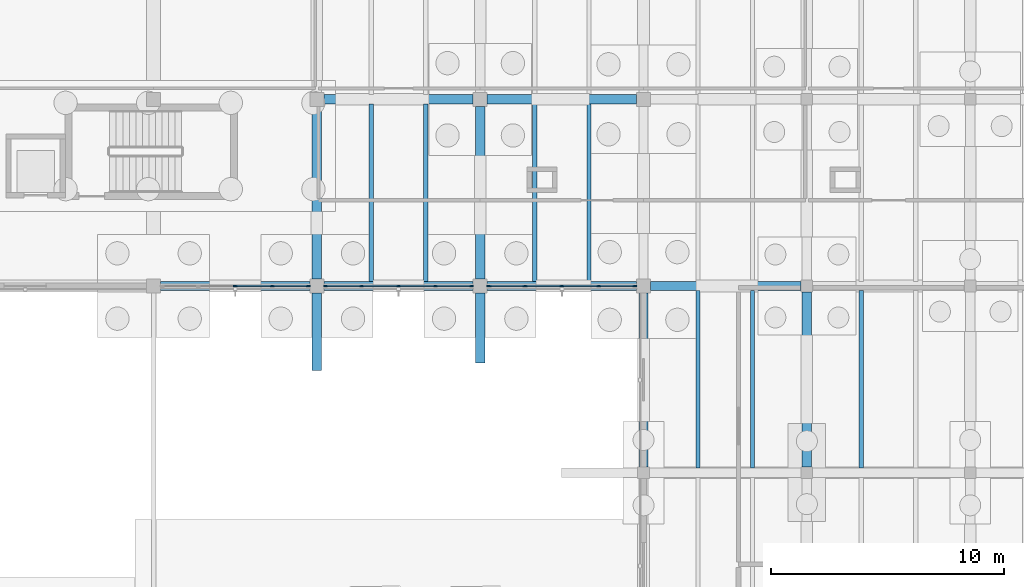
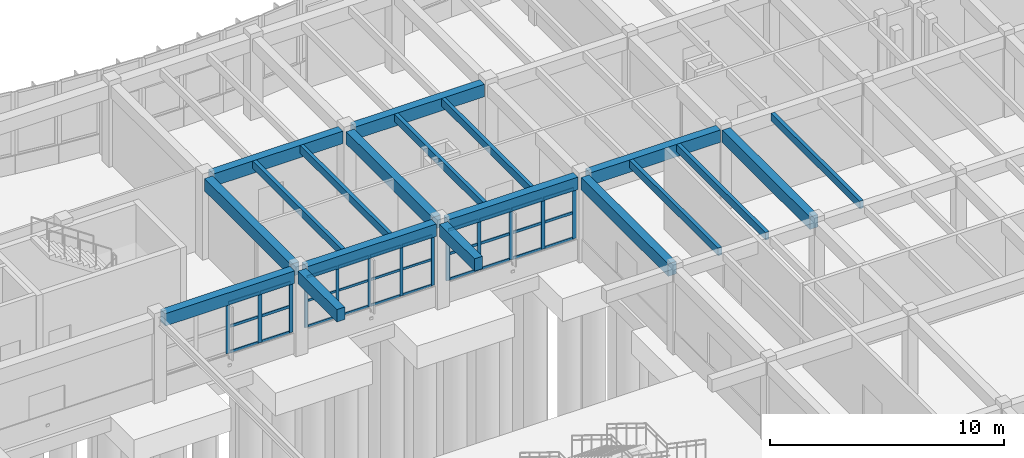
# One storey, part 44 of 99: 43 members, 19 beams, 3 elements without a shape of their own.
"""IFC4 building model written with IfcOpenShell, lengths in metres."""

import ifcopenshell
import ifcopenshell.guid

model = None  # the IFC model being written
_history = None  # IfcOwnerHistory: only IFC2X3 demands one
_inside = {}  # id of a spatial element -> (the spatial element, [elements in it])
_under = {}  # id of a project, library or spatial element -> (it, [spatial elements below it])
_declared = {}  # id of a project -> (the project, [libraries it declares])
_typed = {}  # id of a type object -> (the type object, [elements of that type])
_made_of = {}  # id of a material, layer set ... -> (it, [elements and type objects made of it])


def new_model(schema):
    """Start an empty IFC model of exactly this schema.

    Asked for "IFC4X3", IfcOpenShell would pick the latest addendum, in which some entities
    have other attributes; the version numbers below select the first issue.
    IFC2X3 requires an IfcOwnerHistory on every rooted entity: one is made here for all.
    """
    global model, _history
    if schema == "IFC4X3":
        model = ifcopenshell.file(schema_version=(4, 3, 0, 0))
    else:
        model = ifcopenshell.file(schema=schema)
    _inside.clear()
    _under.clear()
    _declared.clear()
    _typed.clear()
    _made_of.clear()
    _history = None
    if model.schema == "IFC2X3":
        org = make("IfcOrganization", Name="unknown")
        user = make(
            "IfcPersonAndOrganization",
            ThePerson=make("IfcPerson", FamilyName="unknown"),
            TheOrganization=org,
        )
        app = make(
            "IfcApplication",
            ApplicationDeveloper=org,
            Version="unknown",
            ApplicationFullName="unknown",
            ApplicationIdentifier="unknown",
        )
        _history = make(
            "IfcOwnerHistory",
            OwningUser=user,
            OwningApplication=app,
            ChangeAction="ADDED",
            CreationDate=0,
        )
    return model


def make(cls, **values):
    """One entity of the class cls with the attributes given. An attribute that is None is left unset."""
    return model.create_entity(
        cls, **{name: value for name, value in values.items() if value is not None}
    )


def rooted(cls, **values):
    """An entity with a GlobalId (a new one), such as an element, a storey or a relation."""
    return make(cls, GlobalId=ifcopenshell.guid.new(), OwnerHistory=_history, **values)


def si_unit(unit_type, name, prefix=None):
    """IfcSIUnit, for example si_unit("LENGTHUNIT", "METRE", prefix="MILLI")."""
    return make("IfcSIUnit", UnitType=unit_type, Prefix=prefix, Name=name)


def assignment(units):
    """IfcUnitAssignment: the units of a project."""
    return None if units is None else make("IfcUnitAssignment", Units=units)


def point(xyz):
    """IfcCartesianPoint."""
    return None if xyz is None else make("IfcCartesianPoint", Coordinates=xyz)


def direction(xyz):
    """IfcDirection."""
    return None if xyz is None else make("IfcDirection", DirectionRatios=xyz)


def frame(location, z_axis=None, x_axis=None):
    """IfcAxis2Placement3D, a coordinate frame: its origin and axes. An axis left out is left unset."""
    return make(
        "IfcAxis2Placement3D",
        Location=point(location),
        Axis=direction(z_axis),
        RefDirection=direction(x_axis),
    )


def frame_2d(location, x_axis=None):
    """IfcAxis2Placement2D, a coordinate frame in the plane: its origin and x axis."""
    return make(
        "IfcAxis2Placement2D", Location=point(location), RefDirection=direction(x_axis)
    )


def origin():
    """The frame at (0, 0, 0) with its axes left unset."""
    return frame((0.0, 0.0, 0.0))


def origin_2d():
    """The frame at (0, 0) in the plane with its x axis left unset."""
    return frame_2d((0.0, 0.0))


def place(relative_to, where):
    """IfcLocalPlacement: puts the frame where relative to a parent placement (None: the world)."""
    return make(
        "IfcLocalPlacement", PlacementRelTo=relative_to, RelativePlacement=where
    )


def context(
    kind, dimensions, precision=None, world=None, true_north=None, identifier=None
):
    """IfcGeometricRepresentationContext, for example the 3D "Model" context."""
    return make(
        "IfcGeometricRepresentationContext",
        ContextIdentifier=identifier,
        ContextType=kind,
        CoordinateSpaceDimension=dimensions,
        Precision=precision,
        WorldCoordinateSystem=world,
        TrueNorth=true_north,
    )


def subcontext(parent, identifier, kind, view, scale=None):
    """IfcGeometricRepresentationSubContext, for example "Body" below "Model"."""
    return make(
        "IfcGeometricRepresentationSubContext",
        ContextIdentifier=identifier,
        ContextType=kind,
        ParentContext=parent,
        TargetScale=scale,
        TargetView=view,
    )


def project(units=None, contexts=None):
    """IfcProject with its units and contexts."""
    return rooted(
        "IfcProject",
        Name="project",
        RepresentationContexts=contexts,
        UnitsInContext=assignment(units),
    )


def spatial(cls, under=None, at=None, **own):
    """A site, building, storey or space (cls), placed at a placement, below another one or the project."""
    s = rooted(cls, ObjectPlacement=at, **own)
    if under is not None:
        _under.setdefault(under.id(), (under, []))[1].append(s)
    return s


def profile(cls, at=None, kind="AREA", **sizes):
    """A parametric profile (cls). Its sizes go by their IFC names, for example OverallWidth=200.0."""
    return make(cls, ProfileType=kind, Position=at, **sizes)


def rectangle(**sizes):
    """IfcRectangleProfileDef."""
    return profile("IfcRectangleProfileDef", **sizes)


def extrude(swept, where, along, depth):
    """IfcExtrudedAreaSolid: the profile swept, set in the frame where, extruded along a direction by depth."""
    return make(
        "IfcExtrudedAreaSolid",
        SweptArea=swept,
        Position=where,
        ExtrudedDirection=direction(along),
        Depth=depth,
    )


def shape(context_of_items, identifier, shape_type, items):
    """IfcShapeRepresentation: the items that make up one representation, for example the "Body"."""
    return make(
        "IfcShapeRepresentation",
        ContextOfItems=context_of_items,
        RepresentationIdentifier=identifier,
        RepresentationType=shape_type,
        Items=items,
    )


def material(Name=None, Category=None):
    """IfcMaterial."""
    return make("IfcMaterial", Name=Name, Category=Category)


def layer(
    of_material, thickness, ventilated=None, Name=None, Category=None, Priority=None
):
    """IfcMaterialLayer: one layer of a wall or slab, of a material (None: an air gap)."""
    return make(
        "IfcMaterialLayer",
        Material=of_material,
        LayerThickness=thickness,
        IsVentilated=ventilated,
        Name=Name,
        Category=Category,
        Priority=Priority,
    )


def layer_set(layers, Name=None):
    """IfcMaterialLayerSet."""
    return make("IfcMaterialLayerSet", MaterialLayers=layers, LayerSetName=Name)


def material_profile(
    of_material, cross_section, Name=None, Category=None, Priority=None
):
    """IfcMaterialProfile: a cross section and its material."""
    return make(
        "IfcMaterialProfile",
        Name=Name,
        Material=of_material,
        Profile=cross_section,
        Priority=Priority,
        Category=Category,
    )


def profile_set(profiles, Name=None, composite=None):
    """IfcMaterialProfileSet."""
    return make(
        "IfcMaterialProfileSet",
        Name=Name,
        MaterialProfiles=profiles,
        CompositeProfile=composite,
    )


def made_of(thing, what):
    """Note that an element or type object is made of a material, layer set ...; save() writes the relation."""
    if what is not None:
        _made_of.setdefault(what.id(), (what, []))[1].append(thing)
    return thing


def type_object(cls, material=None, **own):
    """A type object (cls), such as IfcWallType, which elements share."""
    return made_of(rooted(cls, **own), material)


def element(
    cls,
    number,
    at=None,
    inside=None,
    cuts=None,
    type_object=None,
    material=None,
    context=None,
    identifier="Body",
    shape_type=None,
    held_by="IfcProductDefinitionShape",
    body=None,
    shapes=None,
    **own,
):
    """One element of the class cls, such as IfcWall. Its Tag is "e" and its number.

    at: its placement. inside: the storey or other place that contains it. cuts: it is an
    opening in that element (IfcRelVoidsElement). A single representation is given by context,
    identifier, shape_type and body (its items); several are given by shapes. held_by: the class
    of the entity that holds the representations. save() writes the other relations.
    """
    e = rooted(cls, Tag="e%d" % number, ObjectPlacement=at, **own)
    if body is not None:
        shapes = [shape(context, identifier, shape_type, body)]
    if shapes is not None:
        e.Representation = make(held_by, Representations=shapes)
    if inside is not None:
        _inside.setdefault(inside.id(), (inside, []))[1].append(e)
    if cuts is not None:
        rooted(
            "IfcRelVoidsElement", RelatingBuildingElement=cuts, RelatedOpeningElement=e
        )
    if type_object is not None:
        _typed.setdefault(type_object.id(), (type_object, []))[1].append(e)
    return made_of(e, material)


def aggregate(whole, parts):
    """IfcRelAggregates: a whole, such as a stair, and the parts it consists of."""
    return rooted("IfcRelAggregates", RelatingObject=whole, RelatedObjects=parts)


def save(model, path):
    """Write the relations noted so far, then the file.

    IfcRelAggregates (storeys below a building ...), IfcRelContainedInSpatialStructure (elements
    in a storey), IfcRelDefinesByType, IfcRelAssociatesMaterial and IfcRelDeclares: one each for
    every whole, place, type object, material and project.
    """
    for whole, parts in _under.values():
        aggregate(whole, parts)
    for where, things in _inside.values():
        rooted(
            "IfcRelContainedInSpatialStructure",
            RelatedElements=things,
            RelatingStructure=where,
        )
    for kind, things in _typed.values():
        rooted("IfcRelDefinesByType", RelatedObjects=things, RelatingType=kind)
    for what, things in _made_of.values():
        rooted("IfcRelAssociatesMaterial", RelatedObjects=things, RelatingMaterial=what)
    for by, libraries in _declared.values():
        rooted("IfcRelDeclares", RelatingContext=by, RelatedDefinitions=libraries)
    model.write(path)


model = new_model("IFC4")

# Units and contexts
model_context = context("Model", 3, precision=1e-05, world=origin(), true_north=direction((0.0, 1.0)))
body_context = subcontext(model_context, "Body", "Model", "MODEL_VIEW")
ifc_project = project(units=[si_unit("LENGTHUNIT", "METRE"), si_unit("AREAUNIT", "SQUARE_METRE"), si_unit("VOLUMEUNIT", "CUBIC_METRE"), si_unit("PLANEANGLEUNIT", "RADIAN"), si_unit("MASSUNIT", "GRAM", prefix="KILO")], contexts=[model_context])

# Site, building, storey
site_placement = place(None, origin())
site = spatial("IfcSite", under=ifc_project, at=site_placement, CompositionType="ELEMENT")
building_placement = place(site_placement, origin())
building = spatial("IfcBuilding", under=site, at=building_placement, Name="Tonlespit Floodbar School", CompositionType="ELEMENT")
storey_placement = place(building_placement, origin())
storey = spatial("IfcBuildingStorey", under=building, at=storey_placement, Name="L00", CompositionType="ELEMENT", Elevation=0.0)

# Beams
ifc_material_1 = material(Name="Concrete C40/50", Category="concrete")
ifc_material_profile_1 = material_profile(ifc_material_1, rectangle(XDim=0.39990234375, YDim=0.64990234375, at=origin_2d()), Name="RC 400x650")
ifc_profile_set_1 = profile_set([ifc_material_profile_1], Name="Concrete C40/50")
beam_type_1 = type_object("IfcBeamType", Name="Beam_RC_400x650", PredefinedType="BEAM", material=ifc_profile_set_1)
for number, where, z_axis, x_axis, name in (
    (1, (127.300048828125, 104.0, 3.9150390625), (1.0, 0.0, 0.0), (0.0, 1.0, 0.0), "L00 girder 0133"),
    (2, (134.300048828125, 104.0, 3.9150390625), (1.0, 0.0, 0.0), (0.0, 1.0, 0.0), "L00 girder 0134"),
    (3, (141.300048828125, 104.0, 3.9150390625), (1.0, 0.0, 0.0), (0.0, 1.0, 0.0), "L00 girder 0135"),
):
    element("IfcBeam", number, at=place(storey_placement, frame(where, z_axis=z_axis, x_axis=x_axis)), inside=storey, type_object=beam_type_1, Name=name, PredefinedType="BEAM", context=body_context, shape_type="SweptSolid", body=[
        extrude(rectangle(XDim=0.39990234375, YDim=0.64990234375, at=origin_2d()), origin(), (0.0, 0.0, 1.0), 6.39990234375),
    ])
beam_1_placement = place(storey_placement, frame((148.300048828125, 104.0, 3.9150390625), z_axis=(1.0, 0.0, 0.0), x_axis=(0.0, 1.0, 0.0)))
element("IfcBeam", 4, at=beam_1_placement, inside=storey, type_object=beam_type_1, Name="L00 girder 0136", PredefinedType="BEAM", context=body_context, shape_type="SweptSolid", body=[
    extrude(rectangle(XDim=0.39990234375, YDim=0.64990234375, at=origin_2d()), origin(), (0.0, 0.0, 1.0), 6.449951171875),
])
for number, where, z_axis, x_axis, name in (
    (5, (134.300048828125, 112.0, 3.9150390625), (1.0, 0.0, 0.0), (0.0, 1.0, 0.0), "L00 girder 0144"),
    (6, (141.300048828125, 112.0, 3.9150390625), (1.0, 0.0, 0.0), (0.0, 1.0, 0.0), "L00 girder 0145"),
):
    element("IfcBeam", number, at=place(storey_placement, frame(where, z_axis=z_axis, x_axis=x_axis)), inside=storey, type_object=beam_type_1, Name=name, PredefinedType="BEAM", context=body_context, shape_type="SweptSolid", body=[
        extrude(rectangle(XDim=0.39990234375, YDim=0.64990234375, at=origin_2d()), origin(), (0.0, 0.0, 1.0), 6.39990234375),
    ])
for number, where, z_axis, x_axis, name in (
    (7, (134.0, 104.300048828125, 3.9150390625), (0.0, 1.0, 0.0), (-1.0, 0.0, 0.0), "L00 girder 0275"),
    (8, (141.0, 104.300048828125, 3.9150390625), (0.0, 1.0, 0.0), (-1.0, 0.0, 0.0), "L00 girder 0280"),
):
    element("IfcBeam", number, at=place(storey_placement, frame(where, z_axis=z_axis, x_axis=x_axis)), inside=storey, type_object=beam_type_1, Name=name, PredefinedType="BEAM", context=body_context, shape_type="SweptSolid", body=[
        extrude(rectangle(XDim=0.39990234375, YDim=0.64990234375, at=origin_2d()), origin(), (0.0, 0.0, 1.0), 7.39990234375),
    ])
beam_2_placement = place(storey_placement, frame((148.0, 96.25, 3.9150390625), z_axis=(0.0, 1.0, 0.0), x_axis=(-1.0, 0.0, 0.0)))
element("IfcBeam", 9, at=beam_2_placement, inside=storey, type_object=beam_type_1, Name="L00 girder 0287", PredefinedType="BEAM", context=body_context, shape_type="SweptSolid", body=[
    extrude(rectangle(XDim=0.39990234375, YDim=0.64990234375, at=origin_2d()), origin(), (0.0, 0.0, 1.0), 7.449951171875),
])
beam_3_placement = place(storey_placement, frame((155.0, 96.25, 3.9150390625), z_axis=(0.0, 1.0, 0.0), x_axis=(-1.0, 0.0, 0.0)))
element("IfcBeam", 10, at=beam_3_placement, inside=storey, type_object=beam_type_1, Name="L00 girder 0295", PredefinedType="BEAM", context=body_context, shape_type="SweptSolid", body=[
    extrude(rectangle(XDim=0.39990234375, YDim=0.64990234375, at=origin_2d()), origin(), (0.0, 0.0, 1.0), 7.5),
])
beam_4_placement = place(storey_placement, frame((134.0, 103.699951171875, 3.930908203125), z_axis=(0.0, -1.0, 0.0), x_axis=(1.0, 0.0, 0.0)))
element("IfcBeam", 11, at=beam_4_placement, inside=storey, type_object=beam_type_1, Name="L00 V4 south court gallery rib", PredefinedType="BEAM", context=body_context, shape_type="SweptSolid", body=[
    extrude(rectangle(XDim=0.39990234375, YDim=0.64990234375, at=origin_2d()), origin(), (0.0, 0.0, 1.0), 3.328125),
])
beam_5_placement = place(storey_placement, frame((141.0, 103.699951171875, 3.930908203125), z_axis=(0.0, -1.0, 0.0), x_axis=(1.0, 0.0, 0.0)))
element("IfcBeam", 12, at=beam_5_placement, inside=storey, type_object=beam_type_1, Name="L00 V4 south court gallery rib", PredefinedType="BEAM", context=body_context, shape_type="SweptSolid", body=[
    extrude(rectangle(XDim=0.39990234375, YDim=0.64990234375, at=origin_2d()), origin(), (0.0, 0.0, 1.0), 2.990478515625),
])

# Curtain wall, members
ifc_material_2 = material(Name="Anodised Aluminium", Category="aluminium")
ifc_layer = layer(ifc_material_2, 0.159912109375)
ifc_layer_set = layer_set([ifc_layer], Name="Anodised Aluminium")
curtain_wall_type = type_object("IfcCurtainWallType", Name="CurtainWall_6300x2650", PredefinedType="NOTDEFINED", material=ifc_layer_set)
curtain_wall_1_placement = place(storey_placement, origin())
curtain_wall_1 = element("IfcCurtainWall", 13, at=curtain_wall_1_placement, inside=storey, type_object=curtain_wall_type, Name="L00 unitised curtain wall 0372", PredefinedType="NOTDEFINED")
ifc_material_profile_2 = material_profile(ifc_material_2, rectangle(XDim=0.06494140625, YDim=0.14990234375, at=origin_2d()), Name="ALU M65x150")
ifc_profile_set_2 = profile_set([ifc_material_profile_2], Name="Anodised Aluminium")
member_type_1 = type_object("IfcMemberType", Name="CW_Mullion_65x150", PredefinedType="MULLION", material=ifc_profile_set_2)
member_1_placement = place(storey_placement, frame((140.62744140625, 104.0, 0.949951171875), z_axis=(0.0, 0.0, 1.0), x_axis=(0.0, -1.0, 0.0)))
member_1 = element("IfcMember", 14, at=member_1_placement, type_object=member_type_1, Name="CW-59 mullion 1", PredefinedType="MULLION", context=body_context, shape_type="SweptSolid", body=[
    extrude(rectangle(XDim=0.06494140625, YDim=0.14990234375, at=origin_2d()), origin(), (0.0, 0.0, 1.0), 2.64013671875),
])
member_2_placement = place(storey_placement, frame((139.080078125, 104.0, 0.949951171875), z_axis=(0.0, 0.0, 1.0), x_axis=(0.0, -1.0, 0.0)))
member_2 = element("IfcMember", 15, at=member_2_placement, type_object=member_type_1, Name="CW-59 mullion 2", PredefinedType="MULLION", context=body_context, shape_type="SweptSolid", body=[
    extrude(rectangle(XDim=0.06494140625, YDim=0.14990234375, at=origin_2d()), origin(), (0.0, 0.0, 1.0), 2.64013671875),
])
member_3_placement = place(storey_placement, frame((137.5, 104.0, 0.949951171875), z_axis=(0.0, 0.0, 1.0), x_axis=(0.0, -1.0, 0.0)))
member_3 = element("IfcMember", 16, at=member_3_placement, type_object=member_type_1, Name="CW-59 mullion 3", PredefinedType="MULLION", context=body_context, shape_type="SweptSolid", body=[
    extrude(rectangle(XDim=0.06494140625, YDim=0.14990234375, at=origin_2d()), origin(), (0.0, 0.0, 1.0), 2.64013671875),
])
member_4_placement = place(storey_placement, frame((135.919921875, 104.0, 0.949951171875), z_axis=(0.0, 0.0, 1.0), x_axis=(0.0, -1.0, 0.0)))
member_4 = element("IfcMember", 17, at=member_4_placement, type_object=member_type_1, Name="CW-59 mullion 4", PredefinedType="MULLION", context=body_context, shape_type="SweptSolid", body=[
    extrude(rectangle(XDim=0.06494140625, YDim=0.14990234375, at=origin_2d()), origin(), (0.0, 0.0, 1.0), 2.64013671875),
])
member_5_placement = place(storey_placement, frame((134.37255859375, 104.0, 0.949951171875), z_axis=(0.0, 0.0, 1.0), x_axis=(0.0, -1.0, 0.0)))
member_5 = element("IfcMember", 18, at=member_5_placement, type_object=member_type_1, Name="CW-59 mullion 5", PredefinedType="MULLION", context=body_context, shape_type="SweptSolid", body=[
    extrude(rectangle(XDim=0.06494140625, YDim=0.14990234375, at=origin_2d()), origin(), (0.0, 0.0, 1.0), 2.64013671875),
])

curtain_wall_2_placement = place(storey_placement, origin())
curtain_wall_2 = element("IfcCurtainWall", 19, at=curtain_wall_2_placement, inside=storey, type_object=curtain_wall_type, Name="L00 unitised curtain wall 0371", PredefinedType="NOTDEFINED")
ifc_material_profile_3 = material_profile(ifc_material_2, rectangle(XDim=0.06494140625, YDim=0.179931640625, at=origin_2d()), Name="ALU M65x180")
ifc_profile_set_3 = profile_set([ifc_material_profile_3], Name="Anodised Aluminium")
member_type_2 = type_object("IfcMemberType", Name="CW_Mullion_65x180", PredefinedType="MULLION", material=ifc_profile_set_3)
member_6_placement = place(storey_placement, frame((147.62744140625, 104.0, 0.949951171875), z_axis=(0.0, 0.0, 1.0), x_axis=(0.0, -1.0, 0.0)))
member_6 = element("IfcMember", 20, at=member_6_placement, type_object=member_type_2, Name="CW-59 mullion 1", PredefinedType="MULLION", context=body_context, shape_type="SweptSolid", body=[
    extrude(rectangle(XDim=0.06494140625, YDim=0.179931640625, at=origin_2d()), origin(), (0.0, 0.0, 1.0), 2.64013671875),
])
member_7_placement = place(storey_placement, frame((146.080078125, 104.0, 0.949951171875), z_axis=(0.0, 0.0, 1.0), x_axis=(0.0, -1.0, 0.0)))
member_7 = element("IfcMember", 21, at=member_7_placement, type_object=member_type_2, Name="CW-59 mullion 2", PredefinedType="MULLION", context=body_context, shape_type="SweptSolid", body=[
    extrude(rectangle(XDim=0.06494140625, YDim=0.179931640625, at=origin_2d()), origin(), (0.0, 0.0, 1.0), 2.64013671875),
])
member_8_placement = place(storey_placement, frame((144.5, 104.0, 0.949951171875), z_axis=(0.0, 0.0, 1.0), x_axis=(0.0, -1.0, 0.0)))
member_8 = element("IfcMember", 22, at=member_8_placement, type_object=member_type_2, Name="CW-59 mullion 3", PredefinedType="MULLION", context=body_context, shape_type="SweptSolid", body=[
    extrude(rectangle(XDim=0.06494140625, YDim=0.179931640625, at=origin_2d()), origin(), (0.0, 0.0, 1.0), 2.64013671875),
])
member_9_placement = place(storey_placement, frame((142.919921875, 104.0, 0.949951171875), z_axis=(0.0, 0.0, 1.0), x_axis=(0.0, -1.0, 0.0)))
member_9 = element("IfcMember", 23, at=member_9_placement, type_object=member_type_2, Name="CW-59 mullion 4", PredefinedType="MULLION", context=body_context, shape_type="SweptSolid", body=[
    extrude(rectangle(XDim=0.06494140625, YDim=0.179931640625, at=origin_2d()), origin(), (0.0, 0.0, 1.0), 2.64013671875),
])
member_10_placement = place(storey_placement, frame((141.37255859375, 104.0, 0.949951171875), z_axis=(0.0, 0.0, 1.0), x_axis=(0.0, -1.0, 0.0)))
member_10 = element("IfcMember", 24, at=member_10_placement, type_object=member_type_2, Name="CW-59 mullion 5", PredefinedType="MULLION", context=body_context, shape_type="SweptSolid", body=[
    extrude(rectangle(XDim=0.06494140625, YDim=0.179931640625, at=origin_2d()), origin(), (0.0, 0.0, 1.0), 2.64013671875),
])

curtain_wall_3_placement = place(storey_placement, origin())
curtain_wall_3 = element("IfcCurtainWall", 25, at=curtain_wall_3_placement, inside=storey, type_object=curtain_wall_type, Name="L00 unitised curtain wall 0373", PredefinedType="NOTDEFINED")
member_11_placement = place(storey_placement, frame((133.62744140625, 104.0, 0.949951171875), z_axis=(0.0, 0.0, 1.0), x_axis=(0.0, -1.0, 0.0)))
member_11 = element("IfcMember", 26, at=member_11_placement, type_object=member_type_2, Name="CW-59 mullion 1", PredefinedType="MULLION", context=body_context, shape_type="SweptSolid", body=[
    extrude(rectangle(XDim=0.06494140625, YDim=0.179931640625, at=origin_2d()), origin(), (0.0, 0.0, 1.0), 2.64013671875),
])
member_12_placement = place(storey_placement, frame((132.080078125, 104.0, 0.949951171875), z_axis=(0.0, 0.0, 1.0), x_axis=(0.0, -1.0, 0.0)))
member_12 = element("IfcMember", 27, at=member_12_placement, type_object=member_type_2, Name="CW-59 mullion 2", PredefinedType="MULLION", context=body_context, shape_type="SweptSolid", body=[
    extrude(rectangle(XDim=0.06494140625, YDim=0.179931640625, at=origin_2d()), origin(), (0.0, 0.0, 1.0), 2.64013671875),
])
member_13_placement = place(storey_placement, frame((130.5, 104.0, 0.949951171875), z_axis=(0.0, 0.0, 1.0), x_axis=(0.0, -1.0, 0.0)))
member_13 = element("IfcMember", 28, at=member_13_placement, type_object=member_type_2, Name="CW-59 mullion 3", PredefinedType="MULLION", context=body_context, shape_type="SweptSolid", body=[
    extrude(rectangle(XDim=0.06494140625, YDim=0.179931640625, at=origin_2d()), origin(), (0.0, 0.0, 1.0), 2.64013671875),
])

# Member
ifc_material_profile_4 = material_profile(ifc_material_2, rectangle(XDim=0.06494140625, YDim=0.1201171875, at=origin_2d()), Name="ALU T65x120")
ifc_profile_set_4 = profile_set([ifc_material_profile_4], Name="Anodised Aluminium")
member_type_3 = type_object("IfcMemberType", Name="CW_Transom_65x120", PredefinedType="USERDEFINED", material=ifc_profile_set_4)
member_14_placement = place(storey_placement, frame((140.594970703125, 104.0, 0.982421875), z_axis=(-1.0, 0.0, 0.0), x_axis=(0.0, -1.0, 0.0)))
member_14 = element("IfcMember", 29, at=member_14_placement, type_object=member_type_3, Name="CW-59 transom 1.1", ObjectType="TRANSOM", PredefinedType="USERDEFINED", context=body_context, shape_type="SweptSolid", body=[
    extrude(rectangle(XDim=0.06494140625, YDim=0.1201171875, at=origin_2d()), origin(), (0.0, 0.0, 1.0), 1.482421875),
])

member_15_placement = place(storey_placement, frame((140.594970703125, 104.0, 2.32275390625), z_axis=(-1.0, 0.0, 0.0), x_axis=(0.0, -1.0, 0.0)))
member_15 = element("IfcMember", 30, at=member_15_placement, type_object=member_type_3, Name="CW-59 transom 1.2", ObjectType="TRANSOM", PredefinedType="USERDEFINED", context=body_context, shape_type="SweptSolid", body=[
    extrude(rectangle(XDim=0.06494140625, YDim=0.1201171875, at=origin_2d()), origin(), (0.0, 0.0, 1.0), 1.482421875),
])

member_16_placement = place(storey_placement, frame((140.594970703125, 104.0, 3.5576171875), z_axis=(-1.0, 0.0, 0.0), x_axis=(0.0, -1.0, 0.0)))
member_16 = element("IfcMember", 31, at=member_16_placement, type_object=member_type_3, Name="CW-59 transom 1.3", ObjectType="TRANSOM", PredefinedType="USERDEFINED", context=body_context, shape_type="SweptSolid", body=[
    extrude(rectangle(XDim=0.06494140625, YDim=0.1201171875, at=origin_2d()), origin(), (0.0, 0.0, 1.0), 1.482421875),
])

member_17_placement = place(storey_placement, frame((139.047607421875, 104.0, 0.982421875), z_axis=(-1.0, 0.0, 0.0), x_axis=(0.0, -1.0, 0.0)))
member_17 = element("IfcMember", 32, at=member_17_placement, type_object=member_type_3, Name="CW-59 transom 2.1", ObjectType="TRANSOM", PredefinedType="USERDEFINED", context=body_context, shape_type="SweptSolid", body=[
    extrude(rectangle(XDim=0.06494140625, YDim=0.1201171875, at=origin_2d()), origin(), (0.0, 0.0, 1.0), 1.51513671875),
])

member_18_placement = place(storey_placement, frame((139.047607421875, 104.0, 2.32275390625), z_axis=(-1.0, 0.0, 0.0), x_axis=(0.0, -1.0, 0.0)))
member_18 = element("IfcMember", 33, at=member_18_placement, type_object=member_type_3, Name="CW-59 transom 2.2", ObjectType="TRANSOM", PredefinedType="USERDEFINED", context=body_context, shape_type="SweptSolid", body=[
    extrude(rectangle(XDim=0.06494140625, YDim=0.1201171875, at=origin_2d()), origin(), (0.0, 0.0, 1.0), 1.51513671875),
])

member_19_placement = place(storey_placement, frame((139.047607421875, 104.0, 3.5576171875), z_axis=(-1.0, 0.0, 0.0), x_axis=(0.0, -1.0, 0.0)))
member_19 = element("IfcMember", 34, at=member_19_placement, type_object=member_type_3, Name="CW-59 transom 2.3", ObjectType="TRANSOM", PredefinedType="USERDEFINED", context=body_context, shape_type="SweptSolid", body=[
    extrude(rectangle(XDim=0.06494140625, YDim=0.1201171875, at=origin_2d()), origin(), (0.0, 0.0, 1.0), 1.51513671875),
])

member_20_placement = place(storey_placement, frame((137.467529296875, 104.0, 0.982421875), z_axis=(-1.0, 0.0, 0.0), x_axis=(0.0, -1.0, 0.0)))
member_20 = element("IfcMember", 35, at=member_20_placement, type_object=member_type_3, Name="CW-59 transom 3.1", ObjectType="TRANSOM", PredefinedType="USERDEFINED", context=body_context, shape_type="SweptSolid", body=[
    extrude(rectangle(XDim=0.06494140625, YDim=0.1201171875, at=origin_2d()), origin(), (0.0, 0.0, 1.0), 1.51513671875),
])

member_21_placement = place(storey_placement, frame((137.467529296875, 104.0, 2.32275390625), z_axis=(-1.0, 0.0, 0.0), x_axis=(0.0, -1.0, 0.0)))
member_21 = element("IfcMember", 36, at=member_21_placement, type_object=member_type_3, Name="CW-59 transom 3.2", ObjectType="TRANSOM", PredefinedType="USERDEFINED", context=body_context, shape_type="SweptSolid", body=[
    extrude(rectangle(XDim=0.06494140625, YDim=0.1201171875, at=origin_2d()), origin(), (0.0, 0.0, 1.0), 1.51513671875),
])

member_22_placement = place(storey_placement, frame((137.467529296875, 104.0, 3.5576171875), z_axis=(-1.0, 0.0, 0.0), x_axis=(0.0, -1.0, 0.0)))
member_22 = element("IfcMember", 37, at=member_22_placement, type_object=member_type_3, Name="CW-59 transom 3.3", ObjectType="TRANSOM", PredefinedType="USERDEFINED", context=body_context, shape_type="SweptSolid", body=[
    extrude(rectangle(XDim=0.06494140625, YDim=0.1201171875, at=origin_2d()), origin(), (0.0, 0.0, 1.0), 1.51513671875),
])

member_23_placement = place(storey_placement, frame((135.887451171875, 104.0, 0.982421875), z_axis=(-1.0, 0.0, 0.0), x_axis=(0.0, -1.0, 0.0)))
member_23 = element("IfcMember", 38, at=member_23_placement, type_object=member_type_3, Name="CW-59 transom 4.1", ObjectType="TRANSOM", PredefinedType="USERDEFINED", context=body_context, shape_type="SweptSolid", body=[
    extrude(rectangle(XDim=0.06494140625, YDim=0.1201171875, at=origin_2d()), origin(), (0.0, 0.0, 1.0), 1.482421875),
])

member_24_placement = place(storey_placement, frame((135.887451171875, 104.0, 2.32275390625), z_axis=(-1.0, 0.0, 0.0), x_axis=(0.0, -1.0, 0.0)))
member_24 = element("IfcMember", 39, at=member_24_placement, type_object=member_type_3, Name="CW-59 transom 4.2", ObjectType="TRANSOM", PredefinedType="USERDEFINED", context=body_context, shape_type="SweptSolid", body=[
    extrude(rectangle(XDim=0.06494140625, YDim=0.1201171875, at=origin_2d()), origin(), (0.0, 0.0, 1.0), 1.482421875),
])

member_25_placement = place(storey_placement, frame((135.887451171875, 104.0, 3.5576171875), z_axis=(-1.0, 0.0, 0.0), x_axis=(0.0, -1.0, 0.0)))
member_25 = element("IfcMember", 40, at=member_25_placement, type_object=member_type_3, Name="CW-59 transom 4.3", ObjectType="TRANSOM", PredefinedType="USERDEFINED", context=body_context, shape_type="SweptSolid", body=[
    extrude(rectangle(XDim=0.06494140625, YDim=0.1201171875, at=origin_2d()), origin(), (0.0, 0.0, 1.0), 1.482421875),
])

aggregate(curtain_wall_1, [member_1, member_2, member_3, member_4, member_5, member_14, member_15, member_16, member_17, member_18, member_19, member_20, member_21, member_22, member_23, member_24, member_25])

ifc_material_profile_5 = material_profile(ifc_material_2, rectangle(XDim=0.06494140625, YDim=0.139892578125, at=origin_2d()), Name="ALU T65x140")
ifc_profile_set_5 = profile_set([ifc_material_profile_5], Name="Anodised Aluminium")
member_type_4 = type_object("IfcMemberType", Name="CW_Transom_65x140", PredefinedType="USERDEFINED", material=ifc_profile_set_5)
member_26_placement = place(storey_placement, frame((147.594970703125, 104.0, 0.982421875), z_axis=(-1.0, 0.0, 0.0), x_axis=(0.0, -1.0, 0.0)))
member_26 = element("IfcMember", 41, at=member_26_placement, type_object=member_type_4, Name="CW-59 transom 1.1", ObjectType="TRANSOM", PredefinedType="USERDEFINED", context=body_context, shape_type="SweptSolid", body=[
    extrude(rectangle(XDim=0.06494140625, YDim=0.139892578125, at=origin_2d()), origin(), (0.0, 0.0, 1.0), 1.482421875),
])

member_27_placement = place(storey_placement, frame((147.594970703125, 104.0, 2.32275390625), z_axis=(-1.0, 0.0, 0.0), x_axis=(0.0, -1.0, 0.0)))
member_27 = element("IfcMember", 42, at=member_27_placement, type_object=member_type_4, Name="CW-59 transom 1.2", ObjectType="TRANSOM", PredefinedType="USERDEFINED", context=body_context, shape_type="SweptSolid", body=[
    extrude(rectangle(XDim=0.06494140625, YDim=0.139892578125, at=origin_2d()), origin(), (0.0, 0.0, 1.0), 1.482421875),
])

member_28_placement = place(storey_placement, frame((147.594970703125, 104.0, 3.5576171875), z_axis=(-1.0, 0.0, 0.0), x_axis=(0.0, -1.0, 0.0)))
member_28 = element("IfcMember", 43, at=member_28_placement, type_object=member_type_4, Name="CW-59 transom 1.3", ObjectType="TRANSOM", PredefinedType="USERDEFINED", context=body_context, shape_type="SweptSolid", body=[
    extrude(rectangle(XDim=0.06494140625, YDim=0.139892578125, at=origin_2d()), origin(), (0.0, 0.0, 1.0), 1.482421875),
])

member_29_placement = place(storey_placement, frame((146.047607421875, 104.0, 0.982421875), z_axis=(-1.0, 0.0, 0.0), x_axis=(0.0, -1.0, 0.0)))
member_29 = element("IfcMember", 44, at=member_29_placement, type_object=member_type_4, Name="CW-59 transom 2.1", ObjectType="TRANSOM", PredefinedType="USERDEFINED", context=body_context, shape_type="SweptSolid", body=[
    extrude(rectangle(XDim=0.06494140625, YDim=0.139892578125, at=origin_2d()), origin(), (0.0, 0.0, 1.0), 1.51513671875),
])

member_30_placement = place(storey_placement, frame((146.047607421875, 104.0, 2.32275390625), z_axis=(-1.0, 0.0, 0.0), x_axis=(0.0, -1.0, 0.0)))
member_30 = element("IfcMember", 45, at=member_30_placement, type_object=member_type_4, Name="CW-59 transom 2.2", ObjectType="TRANSOM", PredefinedType="USERDEFINED", context=body_context, shape_type="SweptSolid", body=[
    extrude(rectangle(XDim=0.06494140625, YDim=0.139892578125, at=origin_2d()), origin(), (0.0, 0.0, 1.0), 1.51513671875),
])

member_31_placement = place(storey_placement, frame((146.047607421875, 104.0, 3.5576171875), z_axis=(-1.0, 0.0, 0.0), x_axis=(0.0, -1.0, 0.0)))
member_31 = element("IfcMember", 46, at=member_31_placement, type_object=member_type_4, Name="CW-59 transom 2.3", ObjectType="TRANSOM", PredefinedType="USERDEFINED", context=body_context, shape_type="SweptSolid", body=[
    extrude(rectangle(XDim=0.06494140625, YDim=0.139892578125, at=origin_2d()), origin(), (0.0, 0.0, 1.0), 1.51513671875),
])

member_32_placement = place(storey_placement, frame((144.467529296875, 104.0, 0.982421875), z_axis=(-1.0, 0.0, 0.0), x_axis=(0.0, -1.0, 0.0)))
member_32 = element("IfcMember", 47, at=member_32_placement, type_object=member_type_4, Name="CW-59 transom 3.1", ObjectType="TRANSOM", PredefinedType="USERDEFINED", context=body_context, shape_type="SweptSolid", body=[
    extrude(rectangle(XDim=0.06494140625, YDim=0.139892578125, at=origin_2d()), origin(), (0.0, 0.0, 1.0), 1.51513671875),
])

member_33_placement = place(storey_placement, frame((144.467529296875, 104.0, 2.32275390625), z_axis=(-1.0, 0.0, 0.0), x_axis=(0.0, -1.0, 0.0)))
member_33 = element("IfcMember", 48, at=member_33_placement, type_object=member_type_4, Name="CW-59 transom 3.2", ObjectType="TRANSOM", PredefinedType="USERDEFINED", context=body_context, shape_type="SweptSolid", body=[
    extrude(rectangle(XDim=0.06494140625, YDim=0.139892578125, at=origin_2d()), origin(), (0.0, 0.0, 1.0), 1.51513671875),
])

member_34_placement = place(storey_placement, frame((144.467529296875, 104.0, 3.5576171875), z_axis=(-1.0, 0.0, 0.0), x_axis=(0.0, -1.0, 0.0)))
member_34 = element("IfcMember", 49, at=member_34_placement, type_object=member_type_4, Name="CW-59 transom 3.3", ObjectType="TRANSOM", PredefinedType="USERDEFINED", context=body_context, shape_type="SweptSolid", body=[
    extrude(rectangle(XDim=0.06494140625, YDim=0.139892578125, at=origin_2d()), origin(), (0.0, 0.0, 1.0), 1.51513671875),
])

member_35_placement = place(storey_placement, frame((142.887451171875, 104.0, 0.982421875), z_axis=(-1.0, 0.0, 0.0), x_axis=(0.0, -1.0, 0.0)))
member_35 = element("IfcMember", 50, at=member_35_placement, type_object=member_type_4, Name="CW-59 transom 4.1", ObjectType="TRANSOM", PredefinedType="USERDEFINED", context=body_context, shape_type="SweptSolid", body=[
    extrude(rectangle(XDim=0.06494140625, YDim=0.139892578125, at=origin_2d()), origin(), (0.0, 0.0, 1.0), 1.482421875),
])

member_36_placement = place(storey_placement, frame((142.887451171875, 104.0, 2.32275390625), z_axis=(-1.0, 0.0, 0.0), x_axis=(0.0, -1.0, 0.0)))
member_36 = element("IfcMember", 51, at=member_36_placement, type_object=member_type_4, Name="CW-59 transom 4.2", ObjectType="TRANSOM", PredefinedType="USERDEFINED", context=body_context, shape_type="SweptSolid", body=[
    extrude(rectangle(XDim=0.06494140625, YDim=0.139892578125, at=origin_2d()), origin(), (0.0, 0.0, 1.0), 1.482421875),
])

member_37_placement = place(storey_placement, frame((142.887451171875, 104.0, 3.5576171875), z_axis=(-1.0, 0.0, 0.0), x_axis=(0.0, -1.0, 0.0)))
member_37 = element("IfcMember", 52, at=member_37_placement, type_object=member_type_4, Name="CW-59 transom 4.3", ObjectType="TRANSOM", PredefinedType="USERDEFINED", context=body_context, shape_type="SweptSolid", body=[
    extrude(rectangle(XDim=0.06494140625, YDim=0.139892578125, at=origin_2d()), origin(), (0.0, 0.0, 1.0), 1.482421875),
])

aggregate(curtain_wall_2, [member_6, member_7, member_8, member_9, member_10, member_26, member_27, member_28, member_29, member_30, member_31, member_32, member_33, member_34, member_35, member_36, member_37])

member_38_placement = place(storey_placement, frame((133.594970703125, 104.0, 0.982421875), z_axis=(-1.0, 0.0, 0.0), x_axis=(0.0, -1.0, 0.0)))
member_38 = element("IfcMember", 53, at=member_38_placement, type_object=member_type_4, Name="CW-59 transom 1.1", ObjectType="TRANSOM", PredefinedType="USERDEFINED", context=body_context, shape_type="SweptSolid", body=[
    extrude(rectangle(XDim=0.06494140625, YDim=0.139892578125, at=origin_2d()), origin(), (0.0, 0.0, 1.0), 1.482421875),
])

member_39_placement = place(storey_placement, frame((133.594970703125, 104.0, 2.32275390625), z_axis=(-1.0, 0.0, 0.0), x_axis=(0.0, -1.0, 0.0)))
member_39 = element("IfcMember", 54, at=member_39_placement, type_object=member_type_4, Name="CW-59 transom 1.2", ObjectType="TRANSOM", PredefinedType="USERDEFINED", context=body_context, shape_type="SweptSolid", body=[
    extrude(rectangle(XDim=0.06494140625, YDim=0.139892578125, at=origin_2d()), origin(), (0.0, 0.0, 1.0), 1.482421875),
])

member_40_placement = place(storey_placement, frame((133.594970703125, 104.0, 3.5576171875), z_axis=(-1.0, 0.0, 0.0), x_axis=(0.0, -1.0, 0.0)))
member_40 = element("IfcMember", 55, at=member_40_placement, type_object=member_type_4, Name="CW-59 transom 1.3", ObjectType="TRANSOM", PredefinedType="USERDEFINED", context=body_context, shape_type="SweptSolid", body=[
    extrude(rectangle(XDim=0.06494140625, YDim=0.139892578125, at=origin_2d()), origin(), (0.0, 0.0, 1.0), 1.482421875),
])

member_41_placement = place(storey_placement, frame((132.047607421875, 104.0, 0.982421875), z_axis=(-1.0, 0.0, 0.0), x_axis=(0.0, -1.0, 0.0)))
member_41 = element("IfcMember", 56, at=member_41_placement, type_object=member_type_4, Name="CW-59 transom 2.1", ObjectType="TRANSOM", PredefinedType="USERDEFINED", context=body_context, shape_type="SweptSolid", body=[
    extrude(rectangle(XDim=0.06494140625, YDim=0.139892578125, at=origin_2d()), origin(), (0.0, 0.0, 1.0), 1.51513671875),
])

member_42_placement = place(storey_placement, frame((132.047607421875, 104.0, 2.32275390625), z_axis=(-1.0, 0.0, 0.0), x_axis=(0.0, -1.0, 0.0)))
member_42 = element("IfcMember", 57, at=member_42_placement, type_object=member_type_4, Name="CW-59 transom 2.2", ObjectType="TRANSOM", PredefinedType="USERDEFINED", context=body_context, shape_type="SweptSolid", body=[
    extrude(rectangle(XDim=0.06494140625, YDim=0.139892578125, at=origin_2d()), origin(), (0.0, 0.0, 1.0), 1.51513671875),
])

member_43_placement = place(storey_placement, frame((132.047607421875, 104.0, 3.5576171875), z_axis=(-1.0, 0.0, 0.0), x_axis=(0.0, -1.0, 0.0)))
member_43 = element("IfcMember", 58, at=member_43_placement, type_object=member_type_4, Name="CW-59 transom 2.3", ObjectType="TRANSOM", PredefinedType="USERDEFINED", context=body_context, shape_type="SweptSolid", body=[
    extrude(rectangle(XDim=0.06494140625, YDim=0.139892578125, at=origin_2d()), origin(), (0.0, 0.0, 1.0), 1.51513671875),
])

aggregate(curtain_wall_3, [member_11, member_12, member_13, member_38, member_39, member_40, member_41, member_42, member_43])

# Beams
ifc_material_3 = material(Name="Glulam GL28h", Category="wood")
ifc_material_profile_6 = material_profile(ifc_material_3, rectangle(XDim=0.179931640625, YDim=0.39990234375, at=origin_2d()), Name="GL 180x400")
ifc_profile_set_6 = profile_set([ifc_material_profile_6], Name="Glulam GL28h")
beam_type_2 = type_object("IfcBeamType", Name="Joist_GL_180x400", PredefinedType="JOIST", material=ifc_profile_set_6)
for number, where, z_axis, x_axis, name in (
    (59, (150.333251953125, 96.199951171875, 4.0400390625), (0.0, 1.0, 0.0), (-1.0, 0.0, 0.0), "L00 secondary joist 0496"),
    (60, (152.666748046875, 96.199951171875, 4.0400390625), (0.0, 1.0, 0.0), (-1.0, 0.0, 0.0), "L00 secondary joist 0497"),
    (61, (157.333251953125, 96.199951171875, 4.0400390625), (0.0, 1.0, 0.0), (-1.0, 0.0, 0.0), "L00 secondary joist 0498"),
    (62, (136.333251953125, 104.199951171875, 4.0400390625), (0.0, 1.0, 0.0), (-1.0, 0.0, 0.0), "L00 secondary joist 0511"),
    (63, (138.666748046875, 104.199951171875, 4.0400390625), (0.0, 1.0, 0.0), (-1.0, 0.0, 0.0), "L00 secondary joist 0512"),
    (64, (143.333251953125, 104.199951171875, 4.0400390625), (0.0, 1.0, 0.0), (-1.0, 0.0, 0.0), "L00 secondary joist 0513"),
    (65, (145.666748046875, 104.199951171875, 4.0400390625), (0.0, 1.0, 0.0), (-1.0, 0.0, 0.0), "L00 secondary joist 0514"),
):
    element("IfcBeam", number, at=place(storey_placement, frame(where, z_axis=z_axis, x_axis=x_axis)), inside=storey, type_object=beam_type_2, Name=name, PredefinedType="JOIST", context=body_context, shape_type="SweptSolid", body=[
        extrude(rectangle(XDim=0.179931640625, YDim=0.39990234375, at=origin_2d()), origin(), (0.0, 0.0, 1.0), 7.60009765625),
    ])

save(model, "model.ifc")
